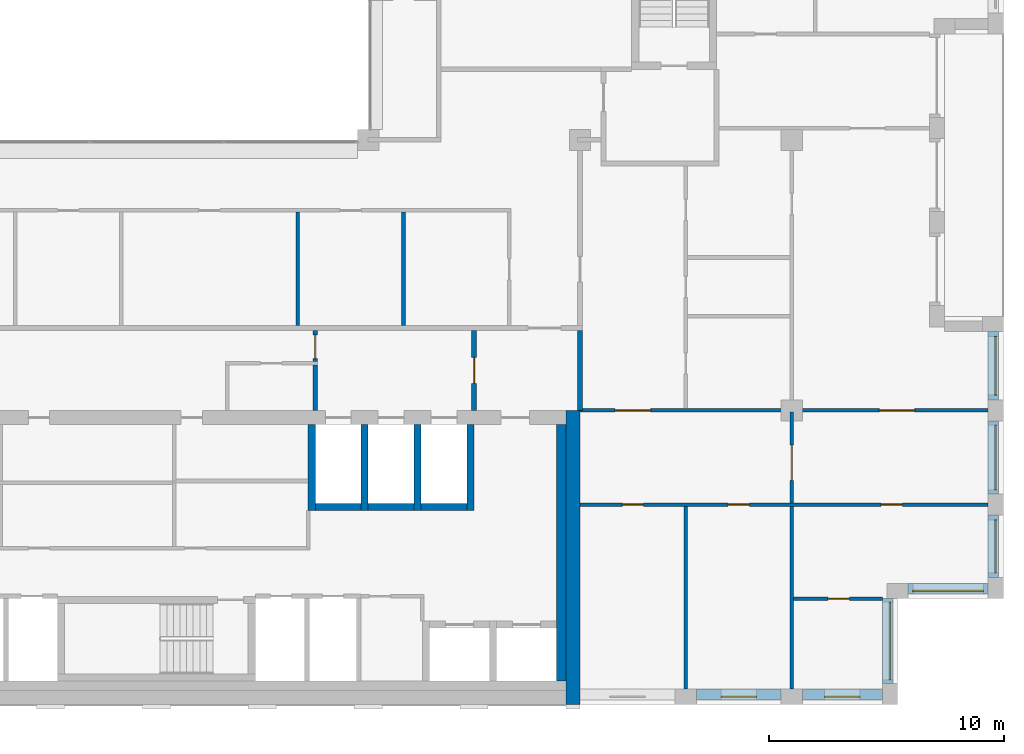
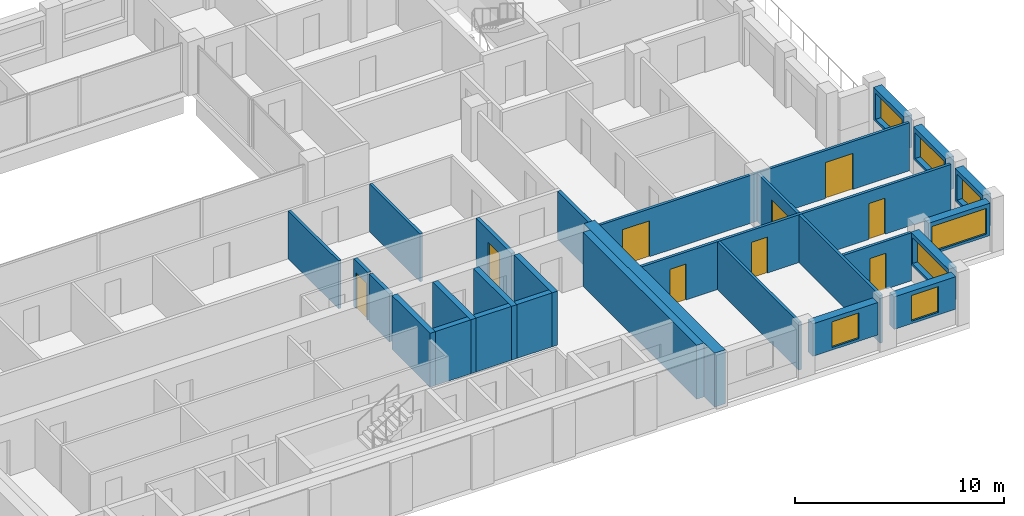
# One storey, part 11 of 15: 28 walls, 9 doors, 7 windows, 16 openings.
"""IFC4 building model written with IfcOpenShell, lengths in metres."""

from ifc_helpers import new_model, si_unit, direction, frame, frame_2d, origin, place, context, subcontext, project, spatial, rectangle, extrude, material, layer, layer_set, type_object, element, fill, save


model = new_model("IFC4")

# Units and contexts
model_context = context("Model", 3, precision=1e-05, world=origin(), true_north=direction((0.0, 1.0)))
body_context = subcontext(model_context, "Body", "Model", "MODEL_VIEW")
ifc_project = project(units=[si_unit("LENGTHUNIT", "METRE"), si_unit("AREAUNIT", "SQUARE_METRE"), si_unit("VOLUMEUNIT", "CUBIC_METRE"), si_unit("PLANEANGLEUNIT", "RADIAN"), si_unit("MASSUNIT", "GRAM", prefix="KILO")], contexts=[model_context])

# Site, building, storey
site_placement = place(None, origin())
site = spatial("IfcSite", under=ifc_project, at=site_placement, CompositionType="ELEMENT")
building_placement = place(site_placement, origin())
building = spatial("IfcBuilding", under=site, at=building_placement, Name="Brigalow Station Residences", CompositionType="ELEMENT")
storey_placement = place(building_placement, frame((0.0, 0.0, 232.64990234375)))
storey = spatial("IfcBuildingStorey", under=building, at=storey_placement, Name="L67", CompositionType="ELEMENT", Elevation=232.64990234375)

# Wall, opening, window
ifc_material_1 = material(Name="Clay brick masonry", Category="masonry")
ifc_layer_1 = layer(ifc_material_1, 0.449951171875)
ifc_layer_set_1 = layer_set([ifc_layer_1], Name="BRICK INFILL WALL 450")
wall_type_1 = type_object("IfcWallType", Name="BRICK INFILL WALL 450", PredefinedType="SOLIDWALL", material=ifc_layer_set_1)
wall_1_placement = place(storey_placement, frame((58.949951171875, 0.425048828125, 0.900146484375), z_axis=(0.0, 0.0, 1.0), x_axis=(1.0, 0.0, 0.0)))
wall_1 = element("IfcWall", 1, at=wall_1_placement, inside=storey, type_object=wall_type_1, Name="L67/ewall/W-L67-4", PredefinedType="SOLIDWALL", context=body_context, shape_type="SweptSolid", body=[
    extrude(rectangle(XDim=3.60009765625, YDim=0.449951171875, at=frame_2d((1.800048828125, 0.0))), origin(), (0.0, 0.0, 1.0), 1.89990234375),
])
opening_1_placement = place(wall_1_placement, frame((1.050048828125, 0.0, 0.14990234375)))
opening_1 = element("IfcOpeningElement", 2, at=opening_1_placement, cuts=wall_1, Name="Opening WT-1", PredefinedType="OPENING", context=body_context, shape_type="SweptSolid", body=[
    extrude(rectangle(XDim=1.5, YDim=1.5, at=frame_2d((0.75, 0.75))), frame((0.0, 0.23486328125, 0.0), z_axis=(0.0, -1.0, 0.0), x_axis=(1.0, 0.0, 0.0)), (0.0, 0.0, 1.0), 0.469970703125),
])
ifc_material_2 = material(Name="Anodised aluminium frame with double glazing", Category="aluminium")
window_type_1 = type_object("IfcWindowType", Name="WINDOW 1500x1500", PartitioningType="SINGLE_PANEL", PredefinedType="WINDOW", material=ifc_material_2)
window_1_placement = place(opening_1_placement, origin())
window_1 = element("IfcWindow", 3, at=window_1_placement, inside=storey, type_object=window_type_1, Name="L67/window/W-L67-4", OverallHeight=1.5, OverallWidth=1.5, PartitioningType="SINGLE_PANEL", PredefinedType="WINDOW", context=body_context, shape_type="SweptSolid", body=[
    extrude(rectangle(XDim=1.5, YDim=1.5, at=frame_2d((0.75, 0.75))), frame((0.0, -0.06494140625, 0.0), z_axis=(0.0, -1.0, 0.0), x_axis=(1.0, 0.0, 0.0)), (0.0, 0.0, 1.0), 0.06005859375),
])
fill(opening_1, window_1)

wall_2_placement = place(storey_placement, frame((63.449951171875, 0.425048828125, 0.900146484375), z_axis=(0.0, 0.0, 1.0), x_axis=(1.0, 0.0, 0.0)))
wall_2 = element("IfcWall", 4, at=wall_2_placement, inside=storey, type_object=wall_type_1, Name="L67/ewall/W-L67-5", PredefinedType="SOLIDWALL", context=body_context, shape_type="SweptSolid", body=[
    extrude(rectangle(XDim=3.400146484375, YDim=0.449951171875, at=frame_2d((1.7001953125, 0.0))), origin(), (0.0, 0.0, 1.0), 1.89990234375),
])
opening_2_placement = place(wall_2_placement, frame((0.949951171875, 0.0, 0.14990234375)))
opening_2 = element("IfcOpeningElement", 5, at=opening_2_placement, cuts=wall_2, Name="Opening WT-1", PredefinedType="OPENING", context=body_context, shape_type="SweptSolid", body=[
    extrude(rectangle(XDim=1.5, YDim=1.5, at=frame_2d((0.75, 0.75))), frame((0.0, 0.23486328125, 0.0), z_axis=(0.0, -1.0, 0.0), x_axis=(1.0, 0.0, 0.0)), (0.0, 0.0, 1.0), 0.469970703125),
])
window_2_placement = place(opening_2_placement, origin())
window_2 = element("IfcWindow", 6, at=window_2_placement, inside=storey, type_object=window_type_1, Name="L67/window/W-L67-5", OverallHeight=1.5, OverallWidth=1.5, PartitioningType="SINGLE_PANEL", PredefinedType="WINDOW", context=body_context, shape_type="SweptSolid", body=[
    extrude(rectangle(XDim=1.5, YDim=1.5, at=frame_2d((0.75, 0.75))), frame((0.0, -0.06494140625, 0.0), z_axis=(0.0, -1.0, 0.0), x_axis=(1.0, 0.0, 0.0)), (0.0, 0.0, 1.0), 0.06005859375),
])
fill(opening_2, window_2)

wall_3_placement = place(storey_placement, frame((67.074951171875, 0.89990234375, 0.900146484375), z_axis=(0.0, 0.0, 1.0), x_axis=(0.0, 1.0, 0.0)))
wall_3 = element("IfcWall", 7, at=wall_3_placement, inside=storey, type_object=wall_type_1, Name="L67/ewall/W-L67-6", PredefinedType="SOLIDWALL", context=body_context, shape_type="SweptSolid", body=[
    extrude(rectangle(XDim=3.60009765625, YDim=0.449951171875, at=frame_2d((1.800048828125, 0.0))), origin(), (0.0, 0.0, 1.0), 1.89990234375),
])
opening_3_placement = place(wall_3_placement, frame((0.14990234375, 0.0, 0.14990234375)))
opening_3 = element("IfcOpeningElement", 8, at=opening_3_placement, cuts=wall_3, Name="Opening WT-10", PredefinedType="OPENING", context=body_context, shape_type="SweptSolid", body=[
    extrude(rectangle(XDim=3.300048828125, YDim=1.5, at=frame_2d((1.64990234375, 0.75))), frame((0.0, 0.23486328125, 0.0), z_axis=(0.0, -1.0, 0.0), x_axis=(1.0, 0.0, 0.0)), (0.0, 0.0, 1.0), 0.469970703125),
])
ifc_material_3 = material(Name="Anodised aluminium frame with double glazing", Category="aluminium")
window_type_2 = type_object("IfcWindowType", Name="WINDOW 3300x1500", PartitioningType="SINGLE_PANEL", PredefinedType="WINDOW", material=ifc_material_3)
window_3_placement = place(opening_3_placement, origin())
window_3 = element("IfcWindow", 9, at=window_3_placement, inside=storey, type_object=window_type_2, Name="L67/window/W-L67-6", OverallHeight=1.5, OverallWidth=3.300048828125, PartitioningType="SINGLE_PANEL", PredefinedType="WINDOW", context=body_context, shape_type="SweptSolid", body=[
    extrude(rectangle(XDim=3.300048828125, YDim=1.5, at=frame_2d((1.64990234375, 0.75))), frame((0.0, -0.06494140625, 0.0), z_axis=(0.0, -1.0, 0.0), x_axis=(1.0, 0.0, 0.0)), (0.0, 0.0, 1.0), 0.06005859375),
])
fill(opening_3, window_3)

wall_4_placement = place(storey_placement, frame((67.949951171875, 4.925048828125, 0.900146484375), z_axis=(0.0, 0.0, 1.0), x_axis=(1.0, 0.0, 0.0)))
wall_4 = element("IfcWall", 10, at=wall_4_placement, inside=storey, type_object=wall_type_1, Name="L67/ewall/W-L67-7", PredefinedType="SOLIDWALL", context=body_context, shape_type="SweptSolid", body=[
    extrude(rectangle(XDim=3.400146484375, YDim=0.449951171875, at=frame_2d((1.7001953125, 0.0))), origin(), (0.0, 0.0, 1.0), 1.89990234375),
])
opening_4_placement = place(wall_4_placement, frame((0.199951171875, 0.0, 0.14990234375)))
opening_4 = element("IfcOpeningElement", 11, at=opening_4_placement, cuts=wall_4, Name="Opening WT-2", PredefinedType="OPENING", context=body_context, shape_type="SweptSolid", body=[
    extrude(rectangle(XDim=3.0, YDim=1.5, at=frame_2d((1.5, 0.75))), frame((0.0, 0.23486328125, 0.0), z_axis=(0.0, -1.0, 0.0), x_axis=(1.0, 0.0, 0.0)), (0.0, 0.0, 1.0), 0.469970703125),
])
ifc_material_4 = material(Name="Anodised aluminium frame with double glazing", Category="aluminium")
window_type_3 = type_object("IfcWindowType", Name="WINDOW 3000x1500", PartitioningType="SINGLE_PANEL", PredefinedType="WINDOW", material=ifc_material_4)
window_4_placement = place(opening_4_placement, origin())
window_4 = element("IfcWindow", 12, at=window_4_placement, inside=storey, type_object=window_type_3, Name="L67/window/W-L67-7", OverallHeight=1.5, OverallWidth=3.0, PartitioningType="SINGLE_PANEL", PredefinedType="WINDOW", context=body_context, shape_type="SweptSolid", body=[
    extrude(rectangle(XDim=3.0, YDim=1.5, at=frame_2d((1.5, 0.75))), frame((0.0, -0.06494140625, 0.0), z_axis=(0.0, -1.0, 0.0), x_axis=(1.0, 0.0, 0.0)), (0.0, 0.0, 1.0), 0.06005859375),
])
fill(opening_4, window_4)

wall_5_placement = place(storey_placement, frame((71.574951171875, 5.39990234375, 0.900146484375), z_axis=(0.0, 0.0, 1.0), x_axis=(0.0, 1.0, 0.0)))
wall_5 = element("IfcWall", 13, at=wall_5_placement, inside=storey, type_object=wall_type_1, Name="L67/ewall/W-L67-8", PredefinedType="SOLIDWALL", context=body_context, shape_type="SweptSolid", body=[
    extrude(rectangle(XDim=2.650146484375, YDim=0.449951171875, at=frame_2d((1.3251953125, 0.0))), origin(), (0.0, 0.0, 1.0), 1.89990234375),
])
opening_5_placement = place(wall_5_placement, frame((0.199951171875, 0.0, 0.14990234375)))
opening_5 = element("IfcOpeningElement", 14, at=opening_5_placement, cuts=wall_5, Name="Opening WT-6", PredefinedType="OPENING", context=body_context, shape_type="SweptSolid", body=[
    extrude(rectangle(XDim=2.25, YDim=1.5, at=frame_2d((1.125, 0.75))), frame((0.0, 0.23486328125, 0.0), z_axis=(0.0, -1.0, 0.0), x_axis=(1.0, 0.0, 0.0)), (0.0, 0.0, 1.0), 0.469970703125),
])
ifc_material_5 = material(Name="Anodised aluminium frame with double glazing", Category="aluminium")
window_type_4 = type_object("IfcWindowType", Name="WINDOW 2250x1500", PartitioningType="SINGLE_PANEL", PredefinedType="WINDOW", material=ifc_material_5)
window_5_placement = place(opening_5_placement, origin())
window_5 = element("IfcWindow", 15, at=window_5_placement, inside=storey, type_object=window_type_4, Name="L67/window/W-L67-8", OverallHeight=1.5, OverallWidth=2.25, PartitioningType="SINGLE_PANEL", PredefinedType="WINDOW", context=body_context, shape_type="SweptSolid", body=[
    extrude(rectangle(XDim=2.25, YDim=1.5, at=frame_2d((1.125, 0.75))), frame((0.0, -0.06494140625, 0.0), z_axis=(0.0, -1.0, 0.0), x_axis=(1.0, 0.0, 0.0)), (0.0, 0.0, 1.0), 0.06005859375),
])
fill(opening_5, window_5)

wall_6_placement = place(storey_placement, frame((71.574951171875, 8.949951171875, 0.900146484375), z_axis=(0.0, 0.0, 1.0), x_axis=(0.0, 1.0, 0.0)))
wall_6 = element("IfcWall", 16, at=wall_6_placement, inside=storey, type_object=wall_type_1, Name="L67/ewall/W-L67-9", PredefinedType="SOLIDWALL", context=body_context, shape_type="SweptSolid", body=[
    extrude(rectangle(XDim=3.10009765625, YDim=0.449951171875, at=frame_2d((1.550048828125, 0.0))), origin(), (0.0, 0.0, 1.0), 1.89990234375),
])
opening_6_placement = place(wall_6_placement, frame((0.175048828125, 0.0, 0.14990234375)))
opening_6 = element("IfcOpeningElement", 17, at=opening_6_placement, cuts=wall_6, Name="Opening WT-3", PredefinedType="OPENING", context=body_context, shape_type="SweptSolid", body=[
    extrude(rectangle(XDim=2.75, YDim=1.5, at=frame_2d((1.375, 0.75))), frame((0.0, 0.23486328125, 0.0), z_axis=(0.0, -1.0, 0.0), x_axis=(1.0, 0.0, 0.0)), (0.0, 0.0, 1.0), 0.469970703125),
])
ifc_material_6 = material(Name="Anodised aluminium frame with double glazing", Category="aluminium")
window_type_5 = type_object("IfcWindowType", Name="WINDOW 2750x1500", PartitioningType="SINGLE_PANEL", PredefinedType="WINDOW", material=ifc_material_6)
window_6_placement = place(opening_6_placement, origin())
window_6 = element("IfcWindow", 18, at=window_6_placement, inside=storey, type_object=window_type_5, Name="L67/window/W-L67-9", OverallHeight=1.5, OverallWidth=2.75, PartitioningType="SINGLE_PANEL", PredefinedType="WINDOW", context=body_context, shape_type="SweptSolid", body=[
    extrude(rectangle(XDim=2.75, YDim=1.5, at=frame_2d((1.375, 0.75))), frame((0.0, -0.06494140625, 0.0), z_axis=(0.0, -1.0, 0.0), x_axis=(1.0, 0.0, 0.0)), (0.0, 0.0, 1.0), 0.06005859375),
])
fill(opening_6, window_6)

wall_7_placement = place(storey_placement, frame((71.574951171875, 12.949951171875, 0.900146484375), z_axis=(0.0, 0.0, 1.0), x_axis=(0.0, 1.0, 0.0)))
wall_7 = element("IfcWall", 19, at=wall_7_placement, inside=storey, type_object=wall_type_1, Name="L67/ewall/W-L67-10", PredefinedType="SOLIDWALL", context=body_context, shape_type="SweptSolid", body=[
    extrude(rectangle(XDim=2.900146484375, YDim=0.449951171875, at=frame_2d((1.4501953125, 0.0))), origin(), (0.0, 0.0, 1.0), 1.89990234375),
])
opening_7_placement = place(wall_7_placement, frame((0.199951171875, 0.0, 0.14990234375)))
opening_7 = element("IfcOpeningElement", 20, at=opening_7_placement, cuts=wall_7, Name="Opening WT-5", PredefinedType="OPENING", context=body_context, shape_type="SweptSolid", body=[
    extrude(rectangle(XDim=2.5, YDim=1.5, at=frame_2d((1.25, 0.75))), frame((0.0, 0.23486328125, 0.0), z_axis=(0.0, -1.0, 0.0), x_axis=(1.0, 0.0, 0.0)), (0.0, 0.0, 1.0), 0.469970703125),
])
ifc_material_7 = material(Name="Anodised aluminium frame with double glazing", Category="aluminium")
window_type_6 = type_object("IfcWindowType", Name="WINDOW 2500x1500", PartitioningType="SINGLE_PANEL", PredefinedType="WINDOW", material=ifc_material_7)
window_7_placement = place(opening_7_placement, origin())
window_7 = element("IfcWindow", 21, at=window_7_placement, inside=storey, type_object=window_type_6, Name="L67/window/W-L67-10", OverallHeight=1.5, OverallWidth=2.5, PartitioningType="SINGLE_PANEL", PredefinedType="WINDOW", context=body_context, shape_type="SweptSolid", body=[
    extrude(rectangle(XDim=2.5, YDim=1.5, at=frame_2d((1.25, 0.75))), frame((0.0, -0.06494140625, 0.0), z_axis=(0.0, -1.0, 0.0), x_axis=(1.0, 0.0, 0.0)), (0.0, 0.0, 1.0), 0.06005859375),
])
fill(opening_7, window_7)

# Walls
ifc_material_8 = material(Name="Concrete C50", Category="concrete")
ifc_layer_2 = layer(ifc_material_8, 0.300048828125)
ifc_layer_set_2 = layer_set([ifc_layer_2], Name="CORE SHEAR WALL 300 C50")
wall_type_2 = type_object("IfcWallType", Name="CORE SHEAR WALL 300 C50", PredefinedType="SHEAR", material=ifc_layer_set_2)
wall_8_placement = place(storey_placement, frame((42.75, 8.39990234375, 0.0), z_axis=(0.0, 0.0, 1.0), x_axis=(1.0, 0.0, 0.0)))
element("IfcWall", 22, at=wall_8_placement, inside=storey, type_object=wall_type_2, Name="CORE WALL SH-FF1-S L67", PredefinedType="SHEAR", context=body_context, shape_type="SweptSolid", body=[
    extrude(rectangle(XDim=1.949951171875, YDim=0.300048828125, at=frame_2d((0.97509765625, 0.0))), origin(), (0.0, 0.0, 1.0), 3.150146484375),
])
wall_9_placement = place(storey_placement, frame((42.60009765625, 8.25, 0.0), z_axis=(0.0, 0.0, 1.0), x_axis=(0.0, 1.0, 0.0)))
element("IfcWall", 23, at=wall_9_placement, inside=storey, type_object=wall_type_2, Name="CORE WALL SH-FF1-W L67", PredefinedType="SHEAR", context=body_context, shape_type="SweptSolid", body=[
    extrude(rectangle(XDim=3.64990234375, YDim=0.300048828125, at=frame_2d((1.824951171875, 0.0))), origin(), (0.0, 0.0, 1.0), 3.150146484375),
])
wall_10_placement = place(storey_placement, frame((45.0, 8.39990234375, 0.0), z_axis=(0.0, 0.0, 1.0), x_axis=(1.0, 0.0, 0.0)))
element("IfcWall", 24, at=wall_10_placement, inside=storey, type_object=wall_type_2, Name="CORE WALL SH-FF2-S L67", PredefinedType="SHEAR", context=body_context, shape_type="SweptSolid", body=[
    extrude(rectangle(XDim=1.949951171875, YDim=0.300048828125, at=frame_2d((0.97509765625, 0.0))), origin(), (0.0, 0.0, 1.0), 3.150146484375),
])
wall_11_placement = place(storey_placement, frame((44.85009765625, 8.25, 0.0), z_axis=(0.0, 0.0, 1.0), x_axis=(0.0, 1.0, 0.0)))
element("IfcWall", 25, at=wall_11_placement, inside=storey, type_object=wall_type_2, Name="CORE WALL SH-FF2-W L67", PredefinedType="SHEAR", context=body_context, shape_type="SweptSolid", body=[
    extrude(rectangle(XDim=3.64990234375, YDim=0.300048828125, at=frame_2d((1.824951171875, 0.0))), origin(), (0.0, 0.0, 1.0), 3.150146484375),
])
wall_12_placement = place(storey_placement, frame((47.25, 8.39990234375, 0.0), z_axis=(0.0, 0.0, 1.0), x_axis=(1.0, 0.0, 0.0)))
element("IfcWall", 26, at=wall_12_placement, inside=storey, type_object=wall_type_2, Name="CORE WALL SH-SL1-S L67", PredefinedType="SHEAR", context=body_context, shape_type="SweptSolid", body=[
    extrude(rectangle(XDim=1.949951171875, YDim=0.300048828125, at=frame_2d((0.97509765625, 0.0))), origin(), (0.0, 0.0, 1.0), 3.150146484375),
])
for number, where, z_axis, x_axis, name in (
    (27, (47.10009765625, 8.25, 0.0), (0.0, 0.0, 1.0), (0.0, 1.0, 0.0), "CORE WALL SH-SL1-W L67"),
    (28, (49.35009765625, 8.25, 0.0), (0.0, 0.0, 1.0), (0.0, 1.0, 0.0), "CORE WALL SH-SL1-E L67"),
):
    element("IfcWall", number, at=place(storey_placement, frame(where, z_axis=z_axis, x_axis=x_axis)), inside=storey, type_object=wall_type_2, Name=name, PredefinedType="SHEAR", context=body_context, shape_type="SweptSolid", body=[
        extrude(rectangle(XDim=3.64990234375, YDim=0.300048828125, at=frame_2d((1.824951171875, 0.0))), origin(), (0.0, 0.0, 1.0), 3.150146484375),
    ])
ifc_material_9 = material(Name="Concrete C50", Category="concrete")
ifc_layer_3 = layer(ifc_material_9, 0.39990234375)
ifc_layer_set_3 = layer_set([ifc_layer_3], Name="CORE SHEAR WALL 400 C50")
wall_type_3 = type_object("IfcWallType", Name="CORE SHEAR WALL 400 C50", PredefinedType="SHEAR", material=ifc_layer_set_3)
wall_13_placement = place(storey_placement, frame((53.199951171875, 1.0, 0.0), z_axis=(0.0, 0.0, 1.0), x_axis=(0.0, 1.0, 0.0)))
element("IfcWall", 29, at=wall_13_placement, inside=storey, type_object=wall_type_3, Name="CORE WALL LIN-E L67", PredefinedType="SHEAR", context=body_context, shape_type="SweptSolid", body=[
    extrude(rectangle(XDim=10.89990234375, YDim=0.39990234375, at=frame_2d((5.449951171875, 0.0))), origin(), (0.0, 0.0, 1.0), 3.150146484375),
])
ifc_material_10 = material(Name="Concrete C50", Category="concrete")
ifc_layer_4 = layer(ifc_material_10, 0.60009765625)
ifc_layer_set_4 = layer_set([ifc_layer_4], Name="CORE SHEAR WALL 600 C50")
wall_type_4 = type_object("IfcWallType", Name="CORE SHEAR WALL 600 C50", PredefinedType="SHEAR", material=ifc_layer_set_4)
wall_14_placement = place(storey_placement, frame((53.699951171875, 0.0, 0.0), z_axis=(0.0, 0.0, 1.0), x_axis=(0.0, 1.0, 0.0)))
element("IfcWall", 30, at=wall_14_placement, inside=storey, type_object=wall_type_4, Name="CORE WALL OUT-E L67", PredefinedType="SHEAR", context=body_context, shape_type="SweptSolid", body=[
    extrude(rectangle(XDim=12.5, YDim=0.60009765625, at=frame_2d((6.25, 0.0))), origin(), (0.0, 0.0, 1.0), 3.150146484375),
])
ifc_material_11 = material(Name="Concrete blockwork", Category="masonry")
ifc_layer_5 = layer(ifc_material_11, 0.199951171875)
ifc_layer_set_5 = layer_set([ifc_layer_5], Name="FIRE RATED CORE PARTITION 200")
wall_type_5 = type_object("IfcWallType", Name="FIRE RATED CORE PARTITION 200", PredefinedType="PARTITIONING", material=ifc_layer_set_5)
wall_15_placement = place(storey_placement, frame((42.75, 12.5, 0.0), z_axis=(0.0, 0.0, 1.0), x_axis=(0.0, 1.0, 0.0)))
element("IfcWall", 31, at=wall_15_placement, inside=storey, type_object=wall_type_5, Name="PW-5046", PredefinedType="PARTITIONING", context=body_context, shape_type="SweptSolid", body=[
    extrude(rectangle(XDim=1.925048828125, YDim=0.199951171875, at=frame_2d((0.96240234375, 0.0))), origin(), (0.0, 0.0, 1.0), 2.800048828125),
])

# Wall, opening, door
wall_16_placement = place(storey_placement, frame((49.5, 12.5, 0.0), z_axis=(0.0, 0.0, 1.0), x_axis=(0.0, 1.0, 0.0)))
wall_16 = element("IfcWall", 32, at=wall_16_placement, inside=storey, type_object=wall_type_5, Name="PW-5015", PredefinedType="PARTITIONING", context=body_context, shape_type="SweptSolid", body=[
    extrude(rectangle(XDim=3.39990234375, YDim=0.199951171875, at=frame_2d((1.699951171875, 0.0))), origin(), (0.0, 0.0, 1.0), 2.800048828125),
])
opening_8_placement = place(wall_16_placement, frame((1.14990234375, 0.0, 0.0)))
opening_8 = element("IfcOpeningElement", 33, at=opening_8_placement, cuts=wall_16, Name="Opening D-5014", PredefinedType="OPENING", context=body_context, shape_type="SweptSolid", body=[
    extrude(rectangle(XDim=1.10009765625, YDim=2.10009765625, at=frame_2d((0.550048828125, 1.050048828125))), frame((0.0, 0.10986328125, 0.0), z_axis=(0.0, -1.0, 0.0), x_axis=(1.0, 0.0, 0.0)), (0.0, 0.0, 1.0), 0.219970703125),
])
ifc_material_12 = material(Name="Steel fire door leaf in steel frame", Category="steel")
door_type_1 = type_object("IfcDoorType", Name="LOBBY DOOR 1100 x 2100 FD60S", OperationType="SINGLE_SWING_LEFT", PredefinedType="DOOR", material=ifc_material_12)
door_1_placement = place(opening_8_placement, origin())
door_1 = element("IfcDoor", 34, at=door_1_placement, inside=storey, type_object=door_type_1, Name="D-5014", OperationType="SINGLE_SWING_LEFT", OverallHeight=2.10009765625, OverallWidth=1.10009765625, PredefinedType="DOOR", context=body_context, shape_type="SweptSolid", body=[
    extrude(rectangle(XDim=1.10009765625, YDim=2.10009765625, at=frame_2d((0.550048828125, 1.050048828125))), frame((0.0, 0.02490234375, 0.0), z_axis=(0.0, -1.0, 0.0), x_axis=(1.0, 0.0, 0.0)), (0.0, 0.0, 1.0), 0.050048828125),
])
fill(opening_8, door_1)

# Wall
wall_17_placement = place(storey_placement, frame((54.0, 12.5, 0.0), z_axis=(0.0, 0.0, 1.0), x_axis=(0.0, 1.0, 0.0)))
element("IfcWall", 35, at=wall_17_placement, inside=storey, type_object=wall_type_5, Name="PW-5016", PredefinedType="PARTITIONING", context=body_context, shape_type="SweptSolid", body=[
    extrude(rectangle(XDim=3.39990234375, YDim=0.199951171875, at=frame_2d((1.699951171875, 0.0))), origin(), (0.0, 0.0, 1.0), 2.800048828125),
])

# Wall, opening, door
wall_18_placement = place(storey_placement, frame((42.75, 14.574951171875, 0.0), z_axis=(0.0, 0.0, 1.0), x_axis=(0.0, 1.0, 0.0)))
wall_18 = element("IfcWall", 36, at=wall_18_placement, inside=storey, type_object=wall_type_5, Name="PW-5047", PredefinedType="PARTITIONING", context=body_context, shape_type="SweptSolid", body=[
    extrude(rectangle(XDim=1.324951171875, YDim=0.199951171875, at=frame_2d((0.66259765625, 0.0))), origin(), (0.0, 0.0, 1.0), 2.800048828125),
])
opening_9_placement = place(wall_18_placement, frame((0.125, 0.0, 0.0)))
opening_9 = element("IfcOpeningElement", 37, at=opening_9_placement, cuts=wall_18, Name="Opening D-5013", PredefinedType="OPENING", context=body_context, shape_type="SweptSolid", body=[
    extrude(rectangle(XDim=1.0, YDim=2.10009765625, at=frame_2d((0.5, 1.050048828125))), frame((0.0, 0.10986328125, 0.0), z_axis=(0.0, -1.0, 0.0), x_axis=(1.0, 0.0, 0.0)), (0.0, 0.0, 1.0), 0.219970703125),
])
ifc_material_13 = material(Name="Steel fire door leaf in steel frame", Category="steel")
door_type_2 = type_object("IfcDoorType", Name="LOBBY DOOR 1000 x 2100 FD60S", OperationType="SINGLE_SWING_LEFT", PredefinedType="DOOR", material=ifc_material_13)
door_2_placement = place(opening_9_placement, origin())
door_2 = element("IfcDoor", 38, at=door_2_placement, inside=storey, type_object=door_type_2, Name="D-5013", OperationType="SINGLE_SWING_LEFT", OverallHeight=2.10009765625, OverallWidth=1.0, PredefinedType="DOOR", context=body_context, shape_type="SweptSolid", body=[
    extrude(rectangle(XDim=1.0, YDim=2.10009765625, at=frame_2d((0.5, 1.050048828125))), frame((0.0, 0.02490234375, 0.0), z_axis=(0.0, -1.0, 0.0), x_axis=(1.0, 0.0, 0.0)), (0.0, 0.0, 1.0), 0.050048828125),
])
fill(opening_9, door_2)

# Wall, openings, doors
ifc_material_14 = material(Name="Plasterboard on steel stud partition", Category="steel")
ifc_layer_6 = layer(ifc_material_14, 0.14990234375)
ifc_layer_set_6 = layer_set([ifc_layer_6], Name="FLAT PARTITION 150")
wall_type_6 = type_object("IfcWallType", Name="FLAT PARTITION 150", PredefinedType="PARTITIONING", material=ifc_layer_set_6)
wall_19_placement = place(storey_placement, frame((54.0, 12.5, 0.0), z_axis=(0.0, 0.0, 1.0), x_axis=(1.0, 0.0, 0.0)))
wall_19 = element("IfcWall", 39, at=wall_19_placement, inside=storey, type_object=wall_type_6, Name="PW-4E12", PredefinedType="PARTITIONING", context=body_context, shape_type="SweptSolid", body=[
    extrude(rectangle(XDim=17.35009765625, YDim=0.14990234375, at=frame_2d((8.675048828125, 0.0))), origin(), (0.0, 0.0, 1.0), 2.800048828125),
])
opening_10_placement = place(wall_19_placement, frame((1.5, 0.0, 0.0)))
opening_10 = element("IfcOpeningElement", 40, at=opening_10_placement, cuts=wall_19, Name="Opening D-4E25", PredefinedType="OPENING", context=body_context, shape_type="SweptSolid", body=[
    extrude(rectangle(XDim=1.5, YDim=2.10009765625, at=frame_2d((0.75, 1.050048828125))), frame((0.0, 0.0849609375, 0.0), z_axis=(0.0, -1.0, 0.0), x_axis=(1.0, 0.0, 0.0)), (0.0, 0.0, 1.0), 0.169921875),
])
opening_11_placement = place(wall_19_placement, frame((12.72509765625, 0.0, 0.0)))
opening_11 = element("IfcOpeningElement", 41, at=opening_11_placement, cuts=wall_19, Name="Opening D-4E33", PredefinedType="OPENING", context=body_context, shape_type="SweptSolid", body=[
    extrude(rectangle(XDim=1.5, YDim=2.10009765625, at=frame_2d((0.75, 1.050048828125))), frame((0.0, 0.0849609375, 0.0), z_axis=(0.0, -1.0, 0.0), x_axis=(1.0, 0.0, 0.0)), (0.0, 0.0, 1.0), 0.169921875),
])
ifc_material_15 = material(Name="Solid-core timber door leaf", Category="wood")
door_type_3 = type_object("IfcDoorType", Name="INTERNAL DOUBLE DOOR 1500 x 2100", OperationType="DOUBLE_DOOR_SINGLE_SWING", PredefinedType="DOOR", material=ifc_material_15)
door_3_placement = place(opening_10_placement, frame((1.5, 0.0, 0.0), z_axis=(0.0, 0.0, 1.0), x_axis=(-1.0, 0.0, 0.0)))
door_3 = element("IfcDoor", 42, at=door_3_placement, inside=storey, type_object=door_type_3, Name="D-4E25", OperationType="DOUBLE_DOOR_SINGLE_SWING", OverallHeight=2.10009765625, OverallWidth=1.5, PredefinedType="DOOR", context=body_context, shape_type="SweptSolid", body=[
    extrude(rectangle(XDim=1.5, YDim=2.10009765625, at=frame_2d((0.75, 1.050048828125))), frame((0.0, 0.02490234375, 0.0), z_axis=(0.0, -1.0, 0.0), x_axis=(1.0, 0.0, 0.0)), (0.0, 0.0, 1.0), 0.050048828125),
])
fill(opening_10, door_3)
door_4_placement = place(opening_11_placement, frame((1.5, 0.0, 0.0), z_axis=(0.0, 0.0, 1.0), x_axis=(-1.0, 0.0, 0.0)))
door_4 = element("IfcDoor", 43, at=door_4_placement, inside=storey, type_object=door_type_3, Name="D-4E33", OperationType="DOUBLE_DOOR_SINGLE_SWING", OverallHeight=2.10009765625, OverallWidth=1.5, PredefinedType="DOOR", context=body_context, shape_type="SweptSolid", body=[
    extrude(rectangle(XDim=1.5, YDim=2.10009765625, at=frame_2d((0.75, 1.050048828125))), frame((0.0, 0.02490234375, 0.0), z_axis=(0.0, -1.0, 0.0), x_axis=(1.0, 0.0, 0.0)), (0.0, 0.0, 1.0), 0.050048828125),
])
fill(opening_11, door_4)

wall_20_placement = place(storey_placement, frame((54.0, 8.5, 0.0), z_axis=(0.0, 0.0, 1.0), x_axis=(1.0, 0.0, 0.0)))
wall_20 = element("IfcWall", 44, at=wall_20_placement, inside=storey, type_object=wall_type_6, Name="PW-4E14", PredefinedType="PARTITIONING", context=body_context, shape_type="SweptSolid", body=[
    extrude(rectangle(XDim=17.35009765625, YDim=0.14990234375, at=frame_2d((8.675048828125, 0.0))), origin(), (0.0, 0.0, 1.0), 2.800048828125),
])
opening_12_placement = place(wall_20_placement, frame((1.800048828125, 0.0, 0.0)))
opening_12 = element("IfcOpeningElement", 45, at=opening_12_placement, cuts=wall_20, Name="Opening D-4E28", PredefinedType="OPENING", context=body_context, shape_type="SweptSolid", body=[
    extrude(rectangle(XDim=0.89990234375, YDim=2.10009765625, at=frame_2d((0.449951171875, 1.050048828125))), frame((0.0, 0.0849609375, 0.0), z_axis=(0.0, -1.0, 0.0), x_axis=(1.0, 0.0, 0.0)), (0.0, 0.0, 1.0), 0.169921875),
])
opening_13_placement = place(wall_20_placement, frame((6.300048828125, 0.0, 0.0)))
opening_13 = element("IfcOpeningElement", 46, at=opening_13_placement, cuts=wall_20, Name="Opening D-4E29", PredefinedType="OPENING", context=body_context, shape_type="SweptSolid", body=[
    extrude(rectangle(XDim=0.89990234375, YDim=2.10009765625, at=frame_2d((0.449951171875, 1.050048828125))), frame((0.0, 0.0849609375, 0.0), z_axis=(0.0, -1.0, 0.0), x_axis=(1.0, 0.0, 0.0)), (0.0, 0.0, 1.0), 0.169921875),
])
opening_14_placement = place(wall_20_placement, frame((12.800048828125, 0.0, 0.0)))
opening_14 = element("IfcOpeningElement", 47, at=opening_14_placement, cuts=wall_20, Name="Opening D-4E31", PredefinedType="OPENING", context=body_context, shape_type="SweptSolid", body=[
    extrude(rectangle(XDim=0.89990234375, YDim=2.10009765625, at=frame_2d((0.449951171875, 1.050048828125))), frame((0.0, 0.0849609375, 0.0), z_axis=(0.0, -1.0, 0.0), x_axis=(1.0, 0.0, 0.0)), (0.0, 0.0, 1.0), 0.169921875),
])
ifc_material_16 = material(Name="Solid-core timber door leaf", Category="wood")
door_type_4 = type_object("IfcDoorType", Name="INTERNAL DOOR 900 x 2100", OperationType="SINGLE_SWING_LEFT", PredefinedType="DOOR", material=ifc_material_16)
door_5_placement = place(opening_12_placement, frame((0.89990234375, 0.0, 0.0), z_axis=(0.0, 0.0, 1.0), x_axis=(-1.0, 0.0, 0.0)))
door_5 = element("IfcDoor", 48, at=door_5_placement, inside=storey, type_object=door_type_4, Name="D-4E28", OperationType="SINGLE_SWING_LEFT", OverallHeight=2.10009765625, OverallWidth=0.89990234375, PredefinedType="DOOR", context=body_context, shape_type="SweptSolid", body=[
    extrude(rectangle(XDim=0.89990234375, YDim=2.10009765625, at=frame_2d((0.449951171875, 1.050048828125))), frame((0.0, 0.02490234375, 0.0), z_axis=(0.0, -1.0, 0.0), x_axis=(1.0, 0.0, 0.0)), (0.0, 0.0, 1.0), 0.050048828125),
])
fill(opening_12, door_5)
door_6_placement = place(opening_13_placement, frame((0.89990234375, 0.0, 0.0), z_axis=(0.0, 0.0, 1.0), x_axis=(-1.0, 0.0, 0.0)))
door_6 = element("IfcDoor", 49, at=door_6_placement, inside=storey, type_object=door_type_4, Name="D-4E29", OperationType="SINGLE_SWING_LEFT", OverallHeight=2.10009765625, OverallWidth=0.89990234375, PredefinedType="DOOR", context=body_context, shape_type="SweptSolid", body=[
    extrude(rectangle(XDim=0.89990234375, YDim=2.10009765625, at=frame_2d((0.449951171875, 1.050048828125))), frame((0.0, 0.02490234375, 0.0), z_axis=(0.0, -1.0, 0.0), x_axis=(1.0, 0.0, 0.0)), (0.0, 0.0, 1.0), 0.050048828125),
])
fill(opening_13, door_6)
door_7_placement = place(opening_14_placement, frame((0.89990234375, 0.0, 0.0), z_axis=(0.0, 0.0, 1.0), x_axis=(-1.0, 0.0, 0.0)))
door_7 = element("IfcDoor", 50, at=door_7_placement, inside=storey, type_object=door_type_4, Name="D-4E31", OperationType="SINGLE_SWING_LEFT", OverallHeight=2.10009765625, OverallWidth=0.89990234375, PredefinedType="DOOR", context=body_context, shape_type="SweptSolid", body=[
    extrude(rectangle(XDim=0.89990234375, YDim=2.10009765625, at=frame_2d((0.449951171875, 1.050048828125))), frame((0.0, 0.02490234375, 0.0), z_axis=(0.0, -1.0, 0.0), x_axis=(1.0, 0.0, 0.0)), (0.0, 0.0, 1.0), 0.050048828125),
])
fill(opening_14, door_7)

# Wall, opening, door
wall_21_placement = place(storey_placement, frame((63.074951171875, 4.5, 0.0), z_axis=(0.0, 0.0, 1.0), x_axis=(1.0, 0.0, 0.0)))
wall_21 = element("IfcWall", 51, at=wall_21_placement, inside=storey, type_object=wall_type_6, Name="PW-4E16", PredefinedType="PARTITIONING", context=body_context, shape_type="SweptSolid", body=[
    extrude(rectangle(XDim=3.775146484375, YDim=0.14990234375, at=frame_2d((1.8876953125, 0.0))), origin(), (0.0, 0.0, 1.0), 2.800048828125),
])
opening_15_placement = place(wall_21_placement, frame((1.47509765625, 0.0, 0.0)))
opening_15 = element("IfcOpeningElement", 52, at=opening_15_placement, cuts=wall_21, Name="Opening D-4E32", PredefinedType="OPENING", context=body_context, shape_type="SweptSolid", body=[
    extrude(rectangle(XDim=0.89990234375, YDim=2.10009765625, at=frame_2d((0.449951171875, 1.050048828125))), frame((0.0, 0.0849609375, 0.0), z_axis=(0.0, -1.0, 0.0), x_axis=(1.0, 0.0, 0.0)), (0.0, 0.0, 1.0), 0.169921875),
])
door_8_placement = place(opening_15_placement, frame((0.89990234375, 0.0, 0.0), z_axis=(0.0, 0.0, 1.0), x_axis=(-1.0, 0.0, 0.0)))
door_8 = element("IfcDoor", 53, at=door_8_placement, inside=storey, type_object=door_type_4, Name="D-4E32", OperationType="SINGLE_SWING_LEFT", OverallHeight=2.10009765625, OverallWidth=0.89990234375, PredefinedType="DOOR", context=body_context, shape_type="SweptSolid", body=[
    extrude(rectangle(XDim=0.89990234375, YDim=2.10009765625, at=frame_2d((0.449951171875, 1.050048828125))), frame((0.0, 0.02490234375, 0.0), z_axis=(0.0, -1.0, 0.0), x_axis=(1.0, 0.0, 0.0)), (0.0, 0.0, 1.0), 0.050048828125),
])
fill(opening_15, door_8)

# Walls
for number, where, z_axis, x_axis, name in (
    (54, (58.5, 0.64990234375, 0.0), (0.0, 0.0, 1.0), (0.0, 1.0, 0.0), "PW-4E46"),
    (55, (63.0, 0.64990234375, 0.0), (0.0, 0.0, 1.0), (0.0, 1.0, 0.0), "PW-4E49"),
):
    element("IfcWall", number, at=place(storey_placement, frame(where, z_axis=z_axis, x_axis=x_axis)), inside=storey, type_object=wall_type_6, Name=name, PredefinedType="PARTITIONING", context=body_context, shape_type="SweptSolid", body=[
        extrude(rectangle(XDim=7.775146484375, YDim=0.14990234375, at=frame_2d((3.8876953125, 0.0))), origin(), (0.0, 0.0, 1.0), 2.800048828125),
    ])

# Wall, opening, door
wall_22_placement = place(storey_placement, frame((63.0, 8.574951171875, 0.0), z_axis=(0.0, 0.0, 1.0), x_axis=(0.0, 1.0, 0.0)))
wall_22 = element("IfcWall", 56, at=wall_22_placement, inside=storey, type_object=wall_type_6, Name="PW-4E50", PredefinedType="PARTITIONING", context=body_context, shape_type="SweptSolid", body=[
    extrude(rectangle(XDim=3.85009765625, YDim=0.14990234375, at=frame_2d((1.925048828125, 0.0))), origin(), (0.0, 0.0, 1.0), 2.800048828125),
])
opening_16_placement = place(wall_22_placement, frame((0.949951171875, 0.0, 0.0)))
opening_16 = element("IfcOpeningElement", 57, at=opening_16_placement, cuts=wall_22, Name="Opening D-4E30", PredefinedType="OPENING", context=body_context, shape_type="SweptSolid", body=[
    extrude(rectangle(XDim=1.5, YDim=2.10009765625, at=frame_2d((0.75, 1.050048828125))), frame((0.0, 0.0849609375, 0.0), z_axis=(0.0, -1.0, 0.0), x_axis=(1.0, 0.0, 0.0)), (0.0, 0.0, 1.0), 0.169921875),
])
door_9_placement = place(opening_16_placement, frame((1.5, 0.0, 0.0), z_axis=(0.0, 0.0, 1.0), x_axis=(-1.0, 0.0, 0.0)))
door_9 = element("IfcDoor", 58, at=door_9_placement, inside=storey, type_object=door_type_3, Name="D-4E30", OperationType="DOUBLE_DOOR_SINGLE_SWING", OverallHeight=2.10009765625, OverallWidth=1.5, PredefinedType="DOOR", context=body_context, shape_type="SweptSolid", body=[
    extrude(rectangle(XDim=1.5, YDim=2.10009765625, at=frame_2d((0.75, 1.050048828125))), frame((0.0, 0.02490234375, 0.0), z_axis=(0.0, -1.0, 0.0), x_axis=(1.0, 0.0, 0.0)), (0.0, 0.0, 1.0), 0.050048828125),
])
fill(opening_16, door_9)

# Walls
for number, where, z_axis, x_axis, name in (
    (59, (42.0, 16.10009765625, 0.0), (0.0, 0.0, 1.0), (0.0, 1.0, 0.0), "PW-4E57"),
    (60, (46.5, 16.10009765625, 0.0), (0.0, 0.0, 1.0), (0.0, 1.0, 0.0), "PW-4E58"),
):
    element("IfcWall", number, at=place(storey_placement, frame(where, z_axis=z_axis, x_axis=x_axis)), inside=storey, type_object=wall_type_6, Name=name, PredefinedType="PARTITIONING", context=body_context, shape_type="SweptSolid", body=[
        extrude(rectangle(XDim=4.824951171875, YDim=0.14990234375, at=frame_2d((2.41259765625, 0.0))), origin(), (0.0, 0.0, 1.0), 2.800048828125),
    ])

save(model, "model.ifc")
